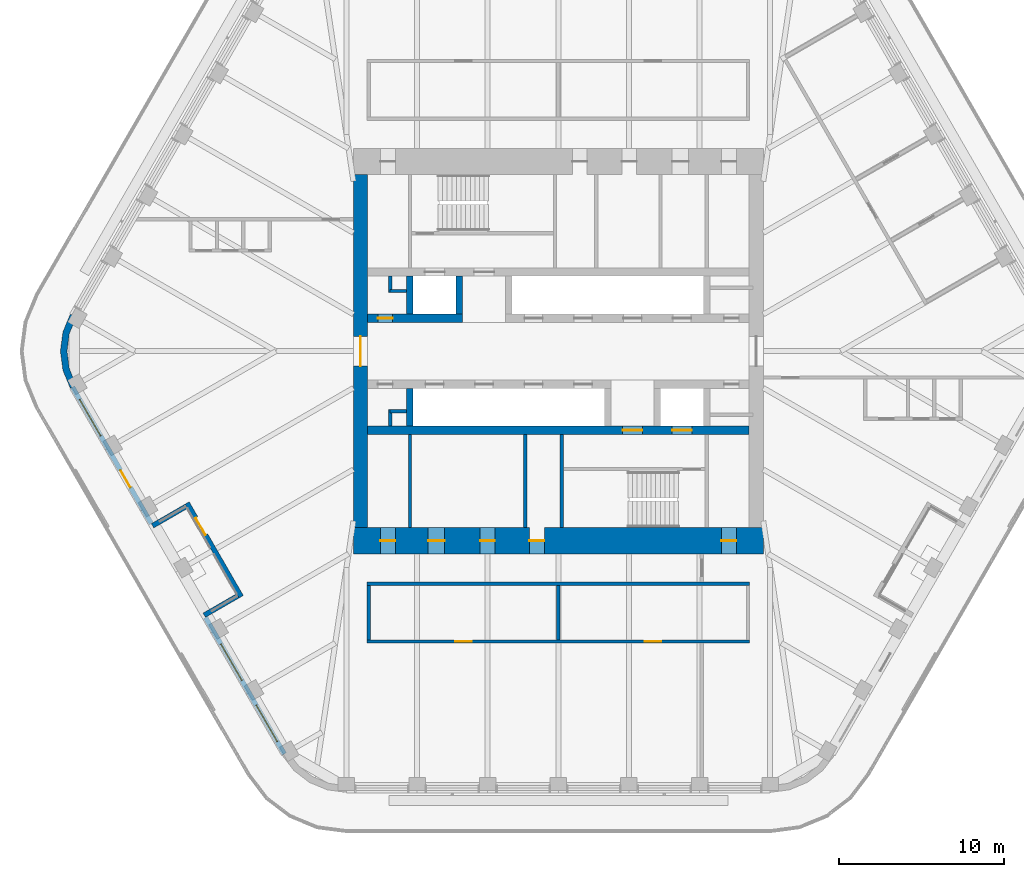
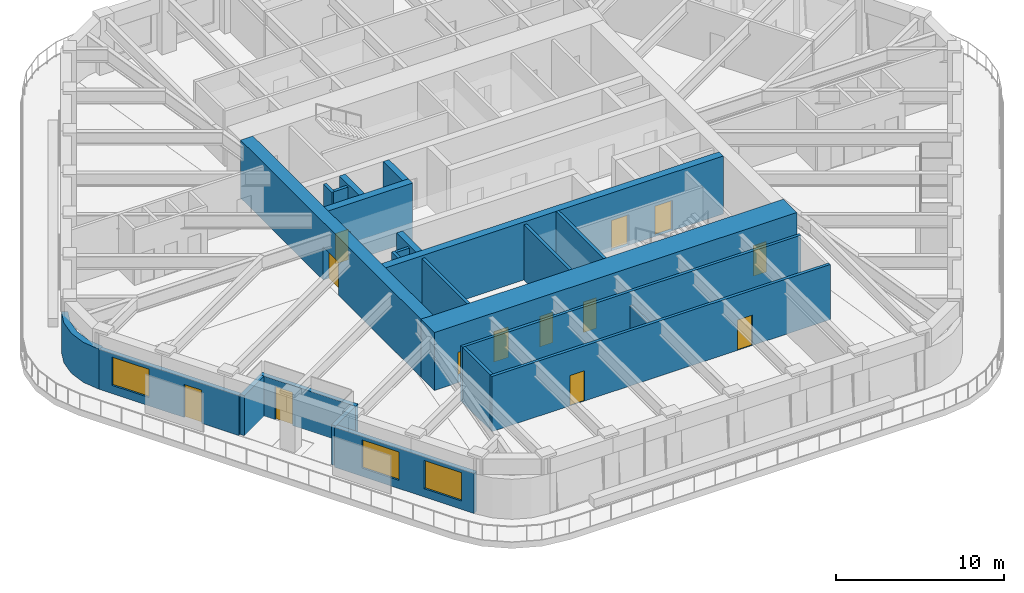
# One storey, part 13 of 19: 24 walls, 13 doors, 3 windows, 16 openings.
"""IFC4 building model written with IfcOpenShell, lengths in metres."""

from ifc_helpers import new_model, si_unit, direction, frame, frame_2d, origin, place, context, subcontext, project, spatial, polyline, rectangle, outline, extrude, material, layer, layer_set, type_object, element, fill, save


model = new_model("IFC4")

# Units and contexts
model_context = context("Model", 3, precision=1e-05, world=origin(), true_north=direction((0.0, 1.0)))
body_context = subcontext(model_context, "Body", "Model", "MODEL_VIEW")
ifc_project = project(units=[si_unit("LENGTHUNIT", "METRE"), si_unit("AREAUNIT", "SQUARE_METRE"), si_unit("VOLUMEUNIT", "CUBIC_METRE"), si_unit("PLANEANGLEUNIT", "RADIAN"), si_unit("MASSUNIT", "GRAM", prefix="KILO")], contexts=[model_context])

# Site, building, storey
site_placement = place(None, origin())
site = spatial("IfcSite", under=ifc_project, at=site_placement, CompositionType="ELEMENT")
building_placement = place(site_placement, origin())
building = spatial("IfcBuilding", under=site, at=building_placement, Name="Tarfa Lantern Tower", CompositionType="ELEMENT")
storey_placement = place(building_placement, frame((0.0, 0.0, 349.300048828125)))
storey = spatial("IfcBuildingStorey", under=building, at=storey_placement, Name="L79", CompositionType="ELEMENT", Elevation=349.300048828125)

# Wall, openings, door, window
ifc_material_1 = material(Name="Limestone cladding on blockwork", Category="masonry")
ifc_layer_1 = layer(ifc_material_1, 0.300048828125)
ifc_layer_set_1 = layer_set([ifc_layer_1], Name="EW1 STONE-CLAD WALL 300")
wall_type_1 = type_object("IfcWallType", Name="EW1 STONE-CLAD WALL 300", PredefinedType="SOLIDWALL", material=ifc_layer_set_1)
wall_1_placement = place(storey_placement, frame((-29.459228515625, -2.175048828125, 0.0), z_axis=(0.0, 0.0, 1.0), x_axis=(0.499996453679, -0.866027451244, 0.0)))
wall_1 = element("IfcWall", 1, at=wall_1_placement, inside=storey, type_object=wall_type_1, Name="Stone wall SW", PredefinedType="SOLIDWALL", context=body_context, shape_type="SweptSolid", body=[
    extrude(rectangle(XDim=9.56396484375, YDim=0.300048828125, at=frame_2d((4.781982421875, 0.0))), origin(), (0.0, 0.0, 1.0), 2.89990234375),
])
opening_1_placement = place(wall_1_placement, frame((0.865966796875, 0.0, 0.60009765625)))
opening_1 = element("IfcOpeningElement", 2, at=opening_1_placement, cuts=wall_1, Name="Opening W17", PredefinedType="OPENING", context=body_context, shape_type="SweptSolid", body=[
    extrude(rectangle(XDim=2.550048828125, YDim=2.050048828125, at=frame_2d((1.27490234375, 1.02490234375))), frame((0.0, 0.159912109375, 0.0), z_axis=(0.0, -1.0, 0.0), x_axis=(1.0, 0.0, 0.0)), (0.0, 0.0, 1.0), 0.320068359375),
])
opening_2_placement = place(wall_1_placement, frame((5.822998046875, 0.0, 0.0)))
opening_2 = element("IfcOpeningElement", 3, at=opening_2_placement, cuts=wall_1, Name="Opening D42", PredefinedType="OPENING", context=body_context, shape_type="SweptSolid", body=[
    extrude(rectangle(XDim=1.199951171875, YDim=2.39990234375, at=frame_2d((0.60009765625, 1.199951171875))), frame((0.0, 0.159912109375, 0.0), z_axis=(0.0, -1.0, 0.0), x_axis=(1.0, 0.0, 0.0)), (0.0, 0.0, 1.0), 0.320068359375),
])
ifc_material_2 = material(Name="Aluminium framed glazed door", Category="aluminium")
door_type_1 = type_object("IfcDoorType", Name="BE3 BALCONY DOOR 1200x2400", OperationType="SINGLE_SWING_RIGHT", PredefinedType="DOOR", material=ifc_material_2)
door_1_placement = place(opening_2_placement, origin())
door_1 = element("IfcDoor", 4, at=door_1_placement, inside=storey, type_object=door_type_1, Name="Balcony door SW", OperationType="SINGLE_SWING_LEFT", OverallHeight=2.39990234375, OverallWidth=1.199951171875, PredefinedType="DOOR", context=body_context, shape_type="SweptSolid", body=[
    extrude(rectangle(XDim=1.199951171875, YDim=2.39990234375, at=frame_2d((0.60009765625, 1.199951171875))), frame((0.0, 0.02490234375, 0.0), z_axis=(0.0, -1.0, 0.0), x_axis=(1.0, 0.0, 0.0)), (0.0, 0.0, 1.0), 0.050048828125),
])
fill(opening_2, door_1)
ifc_material_3 = material(Name="Aluminium frame, double glazed", Category="aluminium")
window_type = type_object("IfcWindowType", Name="W17 FULL-HEIGHT GLAZING 2550x2050", PartitioningType="SINGLE_PANEL", PredefinedType="WINDOW", material=ifc_material_3)
window_1_placement = place(opening_1_placement, origin())
window_1 = element("IfcWindow", 5, at=window_1_placement, inside=storey, type_object=window_type, Name="Window SW 1", OverallHeight=2.050048828125, OverallWidth=2.550048828125, PartitioningType="SINGLE_PANEL", PredefinedType="WINDOW", context=body_context, shape_type="SweptSolid", body=[
    extrude(rectangle(XDim=2.550048828125, YDim=2.050048828125, at=frame_2d((1.27490234375, 1.02490234375))), frame((0.0, 0.030029296875, 0.0), z_axis=(0.0, -1.0, 0.0), x_axis=(1.0, 0.0, 0.0)), (0.0, 0.0, 1.0), 0.06005859375),
])
fill(opening_1, window_1)

# Wall, openings, windows
wall_2_placement = place(storey_placement, frame((-21.395263671875, -16.142333984375, 0.0), z_axis=(0.0, 0.0, 1.0), x_axis=(0.499996453679, -0.866027451244, 0.0)))
wall_2 = element("IfcWall", 6, at=wall_2_placement, inside=storey, type_object=wall_type_1, Name="Stone wall SWB", PredefinedType="SOLIDWALL", context=body_context, shape_type="SweptSolid", body=[
    extrude(rectangle(XDim=9.56396484375, YDim=0.300048828125, at=frame_2d((4.781982421875, 0.0))), origin(), (0.0, 0.0, 1.0), 2.89990234375),
])
opening_3_placement = place(wall_2_placement, frame((1.865966796875, 0.0, 0.60009765625)))
opening_3 = element("IfcOpeningElement", 7, at=opening_3_placement, cuts=wall_2, Name="Opening W17", PredefinedType="OPENING", context=body_context, shape_type="SweptSolid", body=[
    extrude(rectangle(XDim=2.550048828125, YDim=2.050048828125, at=frame_2d((1.27490234375, 1.02490234375))), frame((0.0, 0.159912109375, 0.0), z_axis=(0.0, -1.0, 0.0), x_axis=(1.0, 0.0, 0.0)), (0.0, 0.0, 1.0), 0.320068359375),
])
opening_4_placement = place(wall_2_placement, frame((6.14794921875, 0.0, 0.60009765625)))
opening_4 = element("IfcOpeningElement", 8, at=opening_4_placement, cuts=wall_2, Name="Opening W17", PredefinedType="OPENING", context=body_context, shape_type="SweptSolid", body=[
    extrude(rectangle(XDim=2.550048828125, YDim=2.050048828125, at=frame_2d((1.27490234375, 1.02490234375))), frame((0.0, 0.159912109375, 0.0), z_axis=(0.0, -1.0, 0.0), x_axis=(1.0, 0.0, 0.0)), (0.0, 0.0, 1.0), 0.320068359375),
])
window_2_placement = place(opening_3_placement, origin())
window_2 = element("IfcWindow", 9, at=window_2_placement, inside=storey, type_object=window_type, Name="Window SWB 1", OverallHeight=2.050048828125, OverallWidth=2.550048828125, PartitioningType="SINGLE_PANEL", PredefinedType="WINDOW", context=body_context, shape_type="SweptSolid", body=[
    extrude(rectangle(XDim=2.550048828125, YDim=2.050048828125, at=frame_2d((1.27490234375, 1.02490234375))), frame((0.0, 0.030029296875, 0.0), z_axis=(0.0, -1.0, 0.0), x_axis=(1.0, 0.0, 0.0)), (0.0, 0.0, 1.0), 0.06005859375),
])
fill(opening_3, window_2)
window_3_placement = place(opening_4_placement, origin())
window_3 = element("IfcWindow", 10, at=window_3_placement, inside=storey, type_object=window_type, Name="Window SWB 2", OverallHeight=2.050048828125, OverallWidth=2.550048828125, PartitioningType="SINGLE_PANEL", PredefinedType="WINDOW", context=body_context, shape_type="SweptSolid", body=[
    extrude(rectangle(XDim=2.550048828125, YDim=2.050048828125, at=frame_2d((1.27490234375, 1.02490234375))), frame((0.0, 0.030029296875, 0.0), z_axis=(0.0, -1.0, 0.0), x_axis=(1.0, 0.0, 0.0)), (0.0, 0.0, 1.0), 0.06005859375),
])
fill(opening_4, window_3)

# Walls
for number, where, z_axis, x_axis, name in (
    (11, (-24.602294921875, -10.587646484375, 0.0), (0.0, 0.0, 1.0), (0.866016039709, 0.500016218704, 0.0), "Terrace return SW 1"),
    (12, (-21.47021484375, -16.012451171875, 0.0), (0.0, 0.0, 1.0), (0.866016039709, 0.500016218704, 0.0), "Terrace return SW 2"),
):
    element("IfcWall", number, at=place(storey_placement, frame(where, z_axis=z_axis, x_axis=x_axis)), inside=storey, type_object=wall_type_1, Name=name, PredefinedType="SOLIDWALL", context=body_context, shape_type="SweptSolid", body=[
        extrude(rectangle(XDim=2.35009765625, YDim=0.300048828125, at=frame_2d((1.175048828125, 0.0))), origin(), (0.0, 0.0, 1.0), 2.89990234375),
    ])

# Wall, opening, door
wall_3_placement = place(storey_placement, frame((-22.51220703125, -9.207763671875, 0.0), z_axis=(0.0, 0.0, 1.0), x_axis=(0.499999339774, -0.866025784966, 0.0)))
wall_3 = element("IfcWall", 13, at=wall_3_placement, inside=storey, type_object=wall_type_1, Name="Stone wall SWS", PredefinedType="SOLIDWALL", context=body_context, shape_type="SweptSolid", body=[
    extrude(rectangle(XDim=6.56396484375, YDim=0.300048828125, at=frame_2d((3.281982421875, 0.0))), origin(), (0.0, 0.0, 1.0), 2.89990234375),
])
opening_5_placement = place(wall_3_placement, frame((1.041015625, 0.0, 0.0)))
opening_5 = element("IfcOpeningElement", 14, at=opening_5_placement, cuts=wall_3, Name="Opening D43", PredefinedType="OPENING", context=body_context, shape_type="SweptSolid", body=[
    extrude(rectangle(XDim=1.199951171875, YDim=2.39990234375, at=frame_2d((0.60009765625, 1.199951171875))), frame((0.0, 0.159912109375, 0.0), z_axis=(0.0, -1.0, 0.0), x_axis=(1.0, 0.0, 0.0)), (0.0, 0.0, 1.0), 0.320068359375),
])
door_2_placement = place(opening_5_placement, origin())
door_2 = element("IfcDoor", 15, at=door_2_placement, inside=storey, type_object=door_type_1, Name="Balcony door SWS", OperationType="SINGLE_SWING_RIGHT", OverallHeight=2.39990234375, OverallWidth=1.199951171875, PredefinedType="DOOR", context=body_context, shape_type="SweptSolid", body=[
    extrude(rectangle(XDim=1.199951171875, YDim=2.39990234375, at=frame_2d((0.60009765625, 1.199951171875))), frame((0.0, 0.02490234375, 0.0), z_axis=(0.0, -1.0, 0.0), x_axis=(1.0, 0.0, 0.0)), (0.0, 0.0, 1.0), 0.050048828125),
])
fill(opening_5, door_2)

# Walls
ifc_layer_2 = layer(ifc_material_1, 0.39990234375)
ifc_layer_set_2 = layer_set([ifc_layer_2], Name="EW2 CURVED STONE CORNER 400")
wall_type_2 = type_object("IfcWallType", Name="EW2 CURVED STONE CORNER 400", PredefinedType="SOLIDWALL", material=ifc_layer_set_2)
wall_4_placement = place(storey_placement, origin())
element("IfcWall", 16, at=wall_4_placement, inside=storey, type_object=wall_type_2, Name="Stone corner NW-SW", PredefinedType="SOLIDWALL", context=body_context, shape_type="SweptSolid", body=[
    extrude(outline(polyline([(-29.589111328125, 2.25), (-30.038818359375, 1.164794921875), (-30.192138671875, 0.0), (-30.038818359375, -1.164794921875), (-29.589111328125, -2.25), (-29.24267578125, -2.050048828125), (-29.65234375, -1.061279296875), (-29.7919921875, 0.0), (-29.65234375, 1.061279296875), (-29.24267578125, 2.050048828125), (-29.589111328125, 2.25)])), origin(), (0.0, 0.0, 1.0), 2.89990234375),
])
ifc_material_4 = material(Name="Concrete blockwork", Category="masonry")
ifc_layer_3 = layer(ifc_material_4, 0.199951171875)
ifc_layer_set_3 = layer_set([ifc_layer_3], Name="IW1 BLOCKWORK PARTITION 200 EI 120")
wall_type_3 = type_object("IfcWallType", Name="IW1 BLOCKWORK PARTITION 200 EI 120", PredefinedType="PARTITIONING", material=ifc_layer_set_3)
for number, where, z_axis, x_axis, name in (
    (17, (-9.0, -5.050048828125, 0.0), (0.0, 0.0, 1.0), (0.0, -1.0, 0.0), "Core partition"),
    (18, (-2.0, -5.050048828125, 0.0), (0.0, 0.0, 1.0), (0.0, -1.0, 0.0), "Core partition"),
):
    element("IfcWall", number, at=place(storey_placement, frame(where, z_axis=z_axis, x_axis=x_axis)), inside=storey, type_object=wall_type_3, Name=name, PredefinedType="PARTITIONING", context=body_context, shape_type="SweptSolid", body=[
        extrude(rectangle(XDim=5.64990234375, YDim=0.199951171875, at=frame_2d((2.824951171875, 0.0))), origin(), (0.0, 0.0, 1.0), 4.0),
    ])
for number, where, z_axis, x_axis, name in (
    (19, (-10.199951171875, 3.64990234375, 0.0), (0.0, 0.0, 1.0), (1.0, 0.0, 0.0), "Core partition"),
    (20, (-10.199951171875, 3.550048828125, 0.0), (0.0, 0.0, 1.0), (0.0, 1.0, 0.0), "Core partition"),
    (21, (-9.199951171875, -3.64990234375, 0.0), (0.0, 0.0, 1.0), (-1.0, 0.0, 0.0), "Core partition"),
    (22, (-10.199951171875, -3.550048828125, 0.0), (0.0, 0.0, 1.0), (0.0, -1.0, 0.0), "Core partition"),
):
    element("IfcWall", number, at=place(storey_placement, frame(where, z_axis=z_axis, x_axis=x_axis)), inside=storey, type_object=wall_type_3, Name=name, PredefinedType="PARTITIONING", context=body_context, shape_type="SweptSolid", body=[
        extrude(rectangle(XDim=1.0, YDim=0.199951171875, at=frame_2d((0.5, 0.0))), origin(), (0.0, 0.0, 1.0), 4.0),
    ])
ifc_material_5 = material(Name="Gypsum board on steel studs", Category="steel")
ifc_layer_4 = layer(ifc_material_5, 0.2099609375)
ifc_layer_set_4 = layer_set([ifc_layer_4], Name="IW2 ACOUSTIC PARTITION 200")
wall_type_4 = type_object("IfcWallType", Name="IW2 ACOUSTIC PARTITION 200", PredefinedType="PARTITIONING", material=ifc_layer_set_4)
wall_5_placement = place(storey_placement, frame((11.60009765625, -14.10009765625, 0.0), z_axis=(0.0, 0.0, 1.0), x_axis=(-1.0, 0.0, 0.0)))
element("IfcWall", 23, at=wall_5_placement, inside=storey, type_object=wall_type_4, Name="Partition", PredefinedType="PARTITIONING", context=body_context, shape_type="SweptSolid", body=[
    extrude(rectangle(XDim=23.2001953125, YDim=0.199951171875, at=frame_2d((11.60009765625, 0.0))), origin(), (0.0, 0.0, 1.0), 4.0),
])

# Wall, openings, doors
wall_6_placement = place(storey_placement, frame((11.60009765625, -17.60009765625, 0.0), z_axis=(0.0, 0.0, 1.0), x_axis=(-1.0, 0.0, 0.0)))
wall_6 = element("IfcWall", 24, at=wall_6_placement, inside=storey, type_object=wall_type_4, Name="Partition", PredefinedType="PARTITIONING", context=body_context, shape_type="SweptSolid", body=[
    extrude(rectangle(XDim=23.2001953125, YDim=0.199951171875, at=frame_2d((11.60009765625, 0.0))), origin(), (0.0, 0.0, 1.0), 4.0),
])
opening_6_placement = place(wall_6_placement, frame((5.35009765625, 0.0, 0.0)))
opening_6 = element("IfcOpeningElement", 25, at=opening_6_placement, cuts=wall_6, Name="Opening D27", PredefinedType="OPENING", context=body_context, shape_type="SweptSolid", body=[
    extrude(rectangle(XDim=1.0, YDim=2.199951171875, at=frame_2d((0.5, 1.10009765625))), frame((0.0, 0.10986328125, 0.0), z_axis=(0.0, -1.0, 0.0), x_axis=(1.0, 0.0, 0.0)), (0.0, 0.0, 1.0), 0.219970703125),
])
opening_7_placement = place(wall_6_placement, frame((16.85009765625, 0.0, 0.0)))
opening_7 = element("IfcOpeningElement", 26, at=opening_7_placement, cuts=wall_6, Name="Opening D28", PredefinedType="OPENING", context=body_context, shape_type="SweptSolid", body=[
    extrude(rectangle(XDim=1.0, YDim=2.199951171875, at=frame_2d((0.5, 1.10009765625))), frame((0.0, 0.10986328125, 0.0), z_axis=(0.0, -1.0, 0.0), x_axis=(1.0, 0.0, 0.0)), (0.0, 0.0, 1.0), 0.219970703125),
])
ifc_material_6 = material(Name="Timber door", Category="wood")
door_type_2 = type_object("IfcDoorType", Name="DR1 ROOM DOOR 1000x2200", OperationType="SINGLE_SWING_LEFT", PredefinedType="DOOR", material=ifc_material_6)
door_3_placement = place(opening_6_placement, frame((1.0, 0.0, 0.0), z_axis=(0.0, 0.0, 1.0), x_axis=(-1.0, 0.0, 0.0)))
door_3 = element("IfcDoor", 27, at=door_3_placement, inside=storey, type_object=door_type_2, Name="Stationery store door", OperationType="SINGLE_SWING_LEFT", OverallHeight=2.199951171875, OverallWidth=1.0, PredefinedType="DOOR", context=body_context, shape_type="SweptSolid", body=[
    extrude(rectangle(XDim=1.0, YDim=2.199951171875, at=frame_2d((0.5, 1.10009765625))), frame((0.0, 0.02490234375, 0.0), z_axis=(0.0, -1.0, 0.0), x_axis=(1.0, 0.0, 0.0)), (0.0, 0.0, 1.0), 0.050048828125),
])
fill(opening_6, door_3)
door_4_placement = place(opening_7_placement, frame((1.0, 0.0, 0.0), z_axis=(0.0, 0.0, 1.0), x_axis=(-1.0, 0.0, 0.0)))
door_4 = element("IfcDoor", 28, at=door_4_placement, inside=storey, type_object=door_type_2, Name="Supplies store door", OperationType="SINGLE_SWING_RIGHT", OverallHeight=2.199951171875, OverallWidth=1.0, PredefinedType="DOOR", context=body_context, shape_type="SweptSolid", body=[
    extrude(rectangle(XDim=1.0, YDim=2.199951171875, at=frame_2d((0.5, 1.10009765625))), frame((0.0, 0.02490234375, 0.0), z_axis=(0.0, -1.0, 0.0), x_axis=(1.0, 0.0, 0.0)), (0.0, 0.0, 1.0), 0.050048828125),
])
fill(opening_7, door_4)

# Walls
wall_7_placement = place(storey_placement, frame((0.0, -14.199951171875, 0.0), z_axis=(0.0, 0.0, 1.0), x_axis=(0.0, -1.0, 0.0)))
element("IfcWall", 29, at=wall_7_placement, inside=storey, type_object=wall_type_4, Name="Partition", PredefinedType="PARTITIONING", context=body_context, shape_type="SweptSolid", body=[
    extrude(rectangle(XDim=3.300048828125, YDim=0.199951171875, at=frame_2d((1.64990234375, 0.0))), origin(), (0.0, 0.0, 1.0), 2.991943359375),
])
wall_8_placement = place(storey_placement, frame((-11.5, -14.199951171875, 0.0), z_axis=(0.0, 0.0, 1.0), x_axis=(0.0, -1.0, 0.0)))
element("IfcWall", 30, at=wall_8_placement, inside=storey, type_object=wall_type_4, Name="Partition", PredefinedType="PARTITIONING", context=body_context, shape_type="SweptSolid", body=[
    extrude(rectangle(XDim=3.300048828125, YDim=0.199951171875, at=frame_2d((1.64990234375, 0.0))), origin(), (0.0, 0.0, 1.0), 4.0),
])
ifc_material_7 = material(Name="Concrete C80/95", Category="concrete")
ifc_layer_5 = layer(ifc_material_7, 0.199951171875)
ifc_layer_set_5 = layer_set([ifc_layer_5], Name="SW12 CORE WALL 200")
wall_type_5 = type_object("IfcWallType", Name="SW12 CORE WALL 200", PredefinedType="SHEAR", material=ifc_layer_set_5)
wall_9_placement = place(storey_placement, frame((0.199951171875, -5.050048828125, 0.0), z_axis=(0.0, 0.0, 1.0), x_axis=(0.0, -1.0, 0.0)))
element("IfcWall", 31, at=wall_9_placement, inside=storey, type_object=wall_type_5, Name="Core wall stair shaft S", PredefinedType="SHEAR", context=body_context, shape_type="SweptSolid", body=[
    extrude(rectangle(XDim=5.64990234375, YDim=0.199951171875, at=frame_2d((2.824951171875, 0.0))), origin(), (0.0, 0.0, 1.0), 4.199951171875),
])

# Wall, opening, door
ifc_layer_6 = layer(ifc_material_7, 0.85009765625)
ifc_layer_set_6 = layer_set([ifc_layer_6], Name="SW3 CORE WALL 850")
wall_type_6 = type_object("IfcWallType", Name="SW3 CORE WALL 850", PredefinedType="SHEAR", material=ifc_layer_set_6)
wall_10_placement = place(storey_placement, frame((-12.0, 10.699951171875, 0.0), z_axis=(0.0, 0.0, 1.0), x_axis=(0.0, -1.0, 0.0)))
wall_10 = element("IfcWall", 32, at=wall_10_placement, inside=storey, type_object=wall_type_6, Name="Core wall W", PredefinedType="SHEAR", context=body_context, shape_type="SweptSolid", body=[
    extrude(rectangle(XDim=21.39990234375, YDim=0.85009765625, at=frame_2d((10.699951171875, 0.0))), origin(), (0.0, 0.0, 1.0), 4.199951171875),
])
opening_8_placement = place(wall_10_placement, frame((9.800048828125, 0.0, 0.0)))
opening_8 = element("IfcOpeningElement", 33, at=opening_8_placement, cuts=wall_10, Name="Opening D08", PredefinedType="OPENING", context=body_context, shape_type="SweptSolid", body=[
    extrude(rectangle(XDim=1.800048828125, YDim=2.39990234375, at=frame_2d((0.89990234375, 1.199951171875))), frame((0.0, 0.43505859375, 0.0), z_axis=(0.0, -1.0, 0.0), x_axis=(1.0, 0.0, 0.0)), (0.0, 0.0, 1.0), 0.8701171875),
])
ifc_material_8 = material(Name="Steel fire door", Category="steel")
door_type_3 = type_object("IfcDoorType", Name="DL1 LOBBY DOOR 1800x2400", OperationType="DOUBLE_DOOR_SINGLE_SWING", PredefinedType="DOOR", material=ifc_material_8)
door_5_placement = place(opening_8_placement, frame((1.800048828125, 0.0, 0.0), z_axis=(0.0, 0.0, 1.0), x_axis=(-1.0, 0.0, 0.0)))
door_5 = element("IfcDoor", 34, at=door_5_placement, inside=storey, type_object=door_type_3, Name="Lift lobby door", OperationType="DOUBLE_DOOR_SINGLE_SWING", OverallHeight=2.39990234375, OverallWidth=1.800048828125, PredefinedType="DOOR", context=body_context, shape_type="SweptSolid", body=[
    extrude(rectangle(XDim=1.800048828125, YDim=2.39990234375, at=frame_2d((0.89990234375, 1.199951171875))), frame((0.0, 0.02490234375, 0.0), z_axis=(0.0, -1.0, 0.0), x_axis=(1.0, 0.0, 0.0)), (0.0, 0.0, 1.0), 0.050048828125),
])
fill(opening_8, door_5)

ifc_layer_7 = layer(ifc_material_7, 0.5)
ifc_layer_set_7 = layer_set([ifc_layer_7], Name="SW5 CORE WALL 500")
wall_type_7 = type_object("IfcWallType", Name="SW5 CORE WALL 500", PredefinedType="SHEAR", material=ifc_layer_set_7)
wall_11_placement = place(storey_placement, frame((-11.574951171875, 2.0, 0.0), z_axis=(0.0, 0.0, 1.0), x_axis=(1.0, 0.0, 0.0)))
wall_11 = element("IfcWall", 35, at=wall_11_placement, inside=storey, type_object=wall_type_7, Name="Core wall lobby west N", PredefinedType="SHEAR", context=body_context, shape_type="SweptSolid", body=[
    extrude(rectangle(XDim=5.77490234375, YDim=0.5, at=frame_2d((2.887451171875, 0.0))), origin(), (0.0, 0.0, 1.0), 4.199951171875),
])
opening_9_placement = place(wall_11_placement, frame((0.625, 0.0, 0.0)))
opening_9 = element("IfcOpeningElement", 36, at=opening_9_placement, cuts=wall_11, Name="Opening D11", PredefinedType="OPENING", context=body_context, shape_type="SweptSolid", body=[
    extrude(rectangle(XDim=0.89990234375, YDim=2.199951171875, at=frame_2d((0.449951171875, 1.10009765625))), frame((0.0, 0.260009765625, 0.0), z_axis=(0.0, -1.0, 0.0), x_axis=(1.0, 0.0, 0.0)), (0.0, 0.0, 1.0), 0.52001953125),
])
door_type_4 = type_object("IfcDoorType", Name="DF6 SERVICE ROOM DOOR 900x2200", OperationType="SINGLE_SWING_LEFT", PredefinedType="DOOR", material=ifc_material_8)
door_6_placement = place(opening_9_placement, origin())
door_6 = element("IfcDoor", 37, at=door_6_placement, inside=storey, type_object=door_type_4, Name="Service room door", OperationType="SINGLE_SWING_RIGHT", OverallHeight=2.199951171875, OverallWidth=0.89990234375, PredefinedType="DOOR", context=body_context, shape_type="SweptSolid", body=[
    extrude(rectangle(XDim=0.89990234375, YDim=2.199951171875, at=frame_2d((0.449951171875, 1.10009765625))), frame((0.0, 0.02490234375, 0.0), z_axis=(0.0, -1.0, 0.0), x_axis=(1.0, 0.0, 0.0)), (0.0, 0.0, 1.0), 0.050048828125),
])
fill(opening_9, door_6)

# Wall, openings, doors
wall_12_placement = place(storey_placement, frame((11.574951171875, -4.800048828125, 0.0), z_axis=(0.0, 0.0, 1.0), x_axis=(-1.0, 0.0, 0.0)))
wall_12 = element("IfcWall", 38, at=wall_12_placement, inside=storey, type_object=wall_type_7, Name="Core wall rear S", PredefinedType="SHEAR", context=body_context, shape_type="SweptSolid", body=[
    extrude(rectangle(XDim=23.14990234375, YDim=0.5, at=frame_2d((11.574951171875, 0.0))), origin(), (0.0, 0.0, 1.0), 4.199951171875),
])
opening_10_placement = place(wall_12_placement, frame((6.47509765625, 0.0, 0.0)))
opening_10 = element("IfcOpeningElement", 39, at=opening_10_placement, cuts=wall_12, Name="Opening D06", PredefinedType="OPENING", context=body_context, shape_type="SweptSolid", body=[
    extrude(rectangle(XDim=1.199951171875, YDim=2.199951171875, at=frame_2d((0.60009765625, 1.10009765625))), frame((0.0, 0.260009765625, 0.0), z_axis=(0.0, -1.0, 0.0), x_axis=(1.0, 0.0, 0.0)), (0.0, 0.0, 1.0), 0.52001953125),
])
opening_11_placement = place(wall_12_placement, frame((3.47509765625, 0.0, 0.0)))
opening_11 = element("IfcOpeningElement", 40, at=opening_11_placement, cuts=wall_12, Name="Opening LD02", PredefinedType="OPENING", context=body_context, shape_type="SweptSolid", body=[
    extrude(rectangle(XDim=1.199951171875, YDim=2.199951171875, at=frame_2d((0.60009765625, 1.10009765625))), frame((0.0, 0.260009765625, 0.0), z_axis=(0.0, -1.0, 0.0), x_axis=(1.0, 0.0, 0.0)), (0.0, 0.0, 1.0), 0.52001953125),
])
door_type_5 = type_object("IfcDoorType", Name="DF1 FIREFIGHTING LOBBY DOOR 1200x2200", OperationType="SINGLE_SWING_LEFT", PredefinedType="DOOR", material=ifc_material_8)
door_7_placement = place(opening_10_placement, origin())
door_7 = element("IfcDoor", 41, at=door_7_placement, inside=storey, type_object=door_type_5, Name="Firefighting lobby door", OperationType="SINGLE_SWING_LEFT", OverallHeight=2.199951171875, OverallWidth=1.199951171875, PredefinedType="DOOR", context=body_context, shape_type="SweptSolid", body=[
    extrude(rectangle(XDim=1.199951171875, YDim=2.199951171875, at=frame_2d((0.60009765625, 1.10009765625))), frame((0.0, 0.02490234375, 0.0), z_axis=(0.0, -1.0, 0.0), x_axis=(1.0, 0.0, 0.0)), (0.0, 0.0, 1.0), 0.050048828125),
])
fill(opening_10, door_7)
ifc_material_9 = material(Name="Stainless steel lift door", Category="steel")
door_type_6 = type_object("IfcDoorType", Name="LD1 LIFT LANDING DOOR 1200x2200", OperationType="SLIDING_TO_LEFT", PredefinedType="DOOR", material=ifc_material_9)
door_8_placement = place(opening_11_placement, origin())
door_8 = element("IfcDoor", 42, at=door_8_placement, inside=storey, type_object=door_type_6, Name="Landing door FL2", OperationType="SLIDING_TO_LEFT", OverallHeight=2.199951171875, OverallWidth=1.199951171875, PredefinedType="DOOR", context=body_context, shape_type="SweptSolid", body=[
    extrude(rectangle(XDim=1.199951171875, YDim=2.199951171875, at=frame_2d((0.60009765625, 1.10009765625))), frame((0.0, 0.02490234375, 0.0), z_axis=(0.0, -1.0, 0.0), x_axis=(1.0, 0.0, 0.0)), (0.0, 0.0, 1.0), 0.050048828125),
])
fill(opening_11, door_8)

# Walls
ifc_layer_8 = layer(ifc_material_7, 0.39990234375)
ifc_layer_set_8 = layer_set([ifc_layer_8], Name="SW6 CORE WALL 400")
wall_type_8 = type_object("IfcWallType", Name="SW6 CORE WALL 400", PredefinedType="SHEAR", material=ifc_layer_set_8)
for number, where, z_axis, x_axis, name in (
    (43, (-9.0, 2.25, 0.0), (0.0, 0.0, 1.0), (0.0, 1.0, 0.0), "Core wall divider N"),
    (44, (-6.0, 2.25, 0.0), (0.0, 0.0, 1.0), (0.0, 1.0, 0.0), "Core wall divider N"),
    (45, (-9.0, -2.25, 0.0), (0.0, 0.0, 1.0), (0.0, -1.0, 0.0), "Core wall divider S"),
):
    element("IfcWall", number, at=place(storey_placement, frame(where, z_axis=z_axis, x_axis=x_axis)), inside=storey, type_object=wall_type_8, Name=name, PredefinedType="SHEAR", context=body_context, shape_type="SweptSolid", body=[
        extrude(rectangle(XDim=2.300048828125, YDim=0.39990234375, at=frame_2d((1.14990234375, 0.0))), origin(), (0.0, 0.0, 1.0), 4.199951171875),
    ])

# Wall, openings, doors
ifc_layer_9 = layer(ifc_material_7, 1.60009765625)
ifc_layer_set_9 = layer_set([ifc_layer_9], Name="SW7 CORE WALL 1600")
wall_type_9 = type_object("IfcWallType", Name="SW7 CORE WALL 1600", PredefinedType="SHEAR", material=ifc_layer_set_9)
wall_13_placement = place(storey_placement, frame((12.425048828125, -11.5, 0.0), z_axis=(0.0, 0.0, 1.0), x_axis=(-1.0, 0.0, 0.0)))
wall_13 = element("IfcWall", 46, at=wall_13_placement, inside=storey, type_object=wall_type_9, Name="Core wall S", PredefinedType="SHEAR", context=body_context, shape_type="SweptSolid", body=[
    extrude(rectangle(XDim=24.85009765625, YDim=1.60009765625, at=frame_2d((12.425048828125, 0.0))), origin(), (0.0, 0.0, 1.0), 4.199951171875),
])
opening_12_placement = place(wall_13_placement, frame((13.27490234375, 0.0, 0.0)))
opening_12 = element("IfcOpeningElement", 47, at=opening_12_placement, cuts=wall_13, Name="Opening D14", PredefinedType="OPENING", context=body_context, shape_type="SweptSolid", body=[
    extrude(rectangle(XDim=0.89990234375, YDim=2.199951171875, at=frame_2d((0.449951171875, 1.10009765625))), frame((0.0, 0.81005859375, 0.0), z_axis=(0.0, -1.0, 0.0), x_axis=(1.0, 0.0, 0.0)), (0.0, 0.0, 1.0), 1.6201171875),
])
opening_13_placement = place(wall_13_placement, frame((16.27490234375, 0.0, 0.0)))
opening_13 = element("IfcOpeningElement", 48, at=opening_13_placement, cuts=wall_13, Name="Opening D16", PredefinedType="OPENING", context=body_context, shape_type="SweptSolid", body=[
    extrude(rectangle(XDim=0.89990234375, YDim=2.199951171875, at=frame_2d((0.449951171875, 1.10009765625))), frame((0.0, 0.81005859375, 0.0), z_axis=(0.0, -1.0, 0.0), x_axis=(1.0, 0.0, 0.0)), (0.0, 0.0, 1.0), 1.6201171875),
])
opening_14_placement = place(wall_13_placement, frame((19.324951171875, 0.0, 0.0)))
opening_14 = element("IfcOpeningElement", 49, at=opening_14_placement, cuts=wall_13, Name="Opening D18", PredefinedType="OPENING", context=body_context, shape_type="SweptSolid", body=[
    extrude(rectangle(XDim=1.0, YDim=2.199951171875, at=frame_2d((0.5, 1.10009765625))), frame((0.0, 0.81005859375, 0.0), z_axis=(0.0, -1.0, 0.0), x_axis=(1.0, 0.0, 0.0)), (0.0, 0.0, 1.0), 1.6201171875),
])
opening_15_placement = place(wall_13_placement, frame((1.637451171875, 0.0, 0.0)))
opening_15 = element("IfcOpeningElement", 50, at=opening_15_placement, cuts=wall_13, Name="Opening D04", PredefinedType="OPENING", context=body_context, shape_type="SweptSolid", body=[
    extrude(rectangle(XDim=0.89990234375, YDim=2.199951171875, at=frame_2d((0.449951171875, 1.10009765625))), frame((0.0, 0.81005859375, 0.0), z_axis=(0.0, -1.0, 0.0), x_axis=(1.0, 0.0, 0.0)), (0.0, 0.0, 1.0), 1.6201171875),
])
opening_16_placement = place(wall_13_placement, frame((22.3125, 0.0, 0.0)))
opening_16 = element("IfcOpeningElement", 51, at=opening_16_placement, cuts=wall_13, Name="Opening D02", PredefinedType="OPENING", context=body_context, shape_type="SweptSolid", body=[
    extrude(rectangle(XDim=0.89990234375, YDim=2.199951171875, at=frame_2d((0.449951171875, 1.10009765625))), frame((0.0, 0.81005859375, 0.0), z_axis=(0.0, -1.0, 0.0), x_axis=(1.0, 0.0, 0.0)), (0.0, 0.0, 1.0), 1.6201171875),
])
door_type_7 = type_object("IfcDoorType", Name="DF3 CORE ROOM DOOR 900x2200", OperationType="SINGLE_SWING_LEFT", PredefinedType="DOOR", material=ifc_material_8)
door_9_placement = place(opening_12_placement, frame((0.89990234375, 0.0, 0.0), z_axis=(0.0, 0.0, 1.0), x_axis=(-1.0, 0.0, 0.0)))
door_9 = element("IfcDoor", 52, at=door_9_placement, inside=storey, type_object=door_type_7, Name="Core door", OperationType="SINGLE_SWING_RIGHT", OverallHeight=2.199951171875, OverallWidth=0.89990234375, PredefinedType="DOOR", context=body_context, shape_type="SweptSolid", body=[
    extrude(rectangle(XDim=0.89990234375, YDim=2.199951171875, at=frame_2d((0.449951171875, 1.10009765625))), frame((0.0, 0.02490234375, 0.0), z_axis=(0.0, -1.0, 0.0), x_axis=(1.0, 0.0, 0.0)), (0.0, 0.0, 1.0), 0.050048828125),
])
fill(opening_12, door_9)
door_10_placement = place(opening_13_placement, frame((0.89990234375, 0.0, 0.0), z_axis=(0.0, 0.0, 1.0), x_axis=(-1.0, 0.0, 0.0)))
door_10 = element("IfcDoor", 53, at=door_10_placement, inside=storey, type_object=door_type_7, Name="Core door", OperationType="SINGLE_SWING_LEFT", OverallHeight=2.199951171875, OverallWidth=0.89990234375, PredefinedType="DOOR", context=body_context, shape_type="SweptSolid", body=[
    extrude(rectangle(XDim=0.89990234375, YDim=2.199951171875, at=frame_2d((0.449951171875, 1.10009765625))), frame((0.0, 0.02490234375, 0.0), z_axis=(0.0, -1.0, 0.0), x_axis=(1.0, 0.0, 0.0)), (0.0, 0.0, 1.0), 0.050048828125),
])
fill(opening_13, door_10)
door_type_8 = type_object("IfcDoorType", Name="DF4 CORE ROOM DOOR 1000x2200", OperationType="SINGLE_SWING_LEFT", PredefinedType="DOOR", material=ifc_material_8)
door_11_placement = place(opening_14_placement, frame((1.0, 0.0, 0.0), z_axis=(0.0, 0.0, 1.0), x_axis=(-1.0, 0.0, 0.0)))
door_11 = element("IfcDoor", 54, at=door_11_placement, inside=storey, type_object=door_type_8, Name="Core door", OperationType="SINGLE_SWING_RIGHT", OverallHeight=2.199951171875, OverallWidth=1.0, PredefinedType="DOOR", context=body_context, shape_type="SweptSolid", body=[
    extrude(rectangle(XDim=1.0, YDim=2.199951171875, at=frame_2d((0.5, 1.10009765625))), frame((0.0, 0.02490234375, 0.0), z_axis=(0.0, -1.0, 0.0), x_axis=(1.0, 0.0, 0.0)), (0.0, 0.0, 1.0), 0.050048828125),
])
fill(opening_14, door_11)
door_type_9 = type_object("IfcDoorType", Name="DF5 RISER DOOR 900x2200", OperationType="SINGLE_SWING_LEFT", PredefinedType="DOOR", material=ifc_material_8)
door_12_placement = place(opening_15_placement, frame((0.89990234375, 0.0, 0.0), z_axis=(0.0, 0.0, 1.0), x_axis=(-1.0, 0.0, 0.0)))
door_12 = element("IfcDoor", 55, at=door_12_placement, inside=storey, type_object=door_type_9, Name="Riser door", OperationType="SINGLE_SWING_LEFT", OverallHeight=2.199951171875, OverallWidth=0.89990234375, PredefinedType="DOOR", context=body_context, shape_type="SweptSolid", body=[
    extrude(rectangle(XDim=0.89990234375, YDim=2.199951171875, at=frame_2d((0.449951171875, 1.10009765625))), frame((0.0, 0.02490234375, 0.0), z_axis=(0.0, -1.0, 0.0), x_axis=(1.0, 0.0, 0.0)), (0.0, 0.0, 1.0), 0.050048828125),
])
fill(opening_15, door_12)
door_13_placement = place(opening_16_placement, frame((0.89990234375, 0.0, 0.0), z_axis=(0.0, 0.0, 1.0), x_axis=(-1.0, 0.0, 0.0)))
door_13 = element("IfcDoor", 56, at=door_13_placement, inside=storey, type_object=door_type_9, Name="Riser door", OperationType="SINGLE_SWING_RIGHT", OverallHeight=2.199951171875, OverallWidth=0.89990234375, PredefinedType="DOOR", context=body_context, shape_type="SweptSolid", body=[
    extrude(rectangle(XDim=0.89990234375, YDim=2.199951171875, at=frame_2d((0.449951171875, 1.10009765625))), frame((0.0, 0.02490234375, 0.0), z_axis=(0.0, -1.0, 0.0), x_axis=(1.0, 0.0, 0.0)), (0.0, 0.0, 1.0), 0.050048828125),
])
fill(opening_16, door_13)

save(model, "model.ifc")
